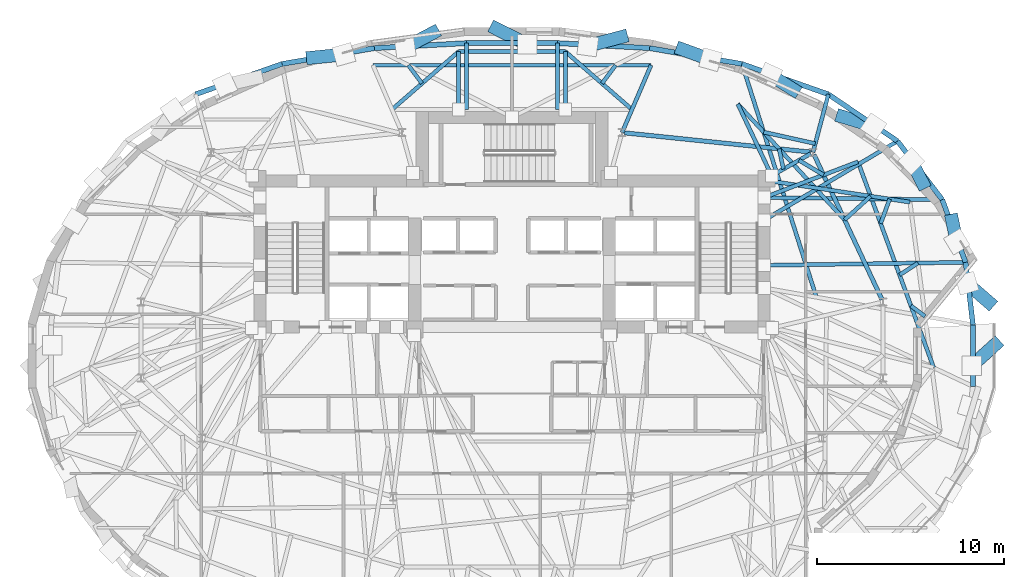
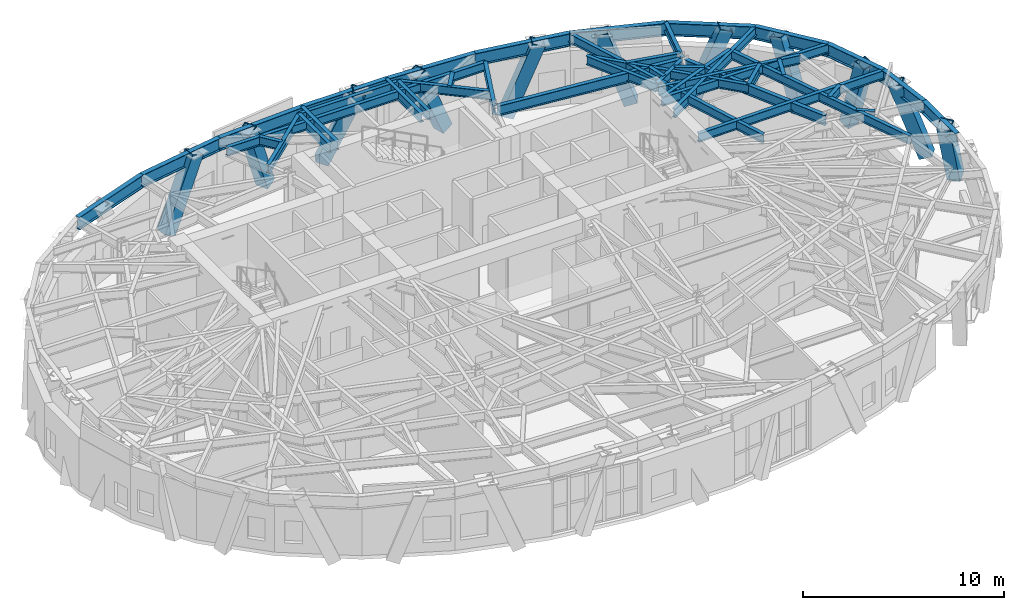
# One storey, part 5 of 16: 43 beams, 11 members.
"""IFC4 building model written with IfcOpenShell, lengths in metres."""

from ifc_helpers import new_model, si_unit, direction, frame, origin, origin_2d, place, context, subcontext, project, spatial, hollow_rectangle, i_section, extrude, material, material_profile, profile_set, type_object, element, save


model = new_model("IFC4")

# Units and contexts
model_context = context("Model", 3, precision=1e-05, world=origin(), true_north=direction((0.0, 1.0)))
body_context = subcontext(model_context, "Body", "Model", "MODEL_VIEW")
ifc_project = project(units=[si_unit("LENGTHUNIT", "METRE"), si_unit("AREAUNIT", "SQUARE_METRE"), si_unit("VOLUMEUNIT", "CUBIC_METRE"), si_unit("PLANEANGLEUNIT", "RADIAN"), si_unit("MASSUNIT", "GRAM", prefix="KILO")], contexts=[model_context])

# Site, building, storey
site_placement = place(None, origin())
site = spatial("IfcSite", under=ifc_project, at=site_placement, CompositionType="ELEMENT")
building_placement = place(site_placement, origin())
building = spatial("IfcBuilding", under=site, at=building_placement, Name="Keldmark Tower", CompositionType="ELEMENT")
storey_placement = place(building_placement, frame((0.0, 0.0, 139.60009765625)))
storey = spatial("IfcBuildingStorey", under=building, at=storey_placement, Name="L37", CompositionType="ELEMENT", Elevation=139.60009765625)

# Members
ifc_material_1 = material(Name="Steel ASTM A572 Grade 50", Category="steel")
ifc_material_profile_1 = material_profile(ifc_material_1, hollow_rectangle(XDim=0.699951171875, YDim=0.699951171875, WallThickness=0.044921875, at=origin_2d()), Name="BOX700X700X45")
ifc_profile_set_1 = profile_set([ifc_material_profile_1], Name="Steel ASTM A572 Grade 50")
member_type = type_object("IfcMemberType", Name="Diagrid Zone 2 Brace BOX700X700X45", PredefinedType="BRACE", material=ifc_profile_set_1)
member_1_placement = place(storey_placement, frame((25.483642578125, 2.850341796875, -0.300048828125), z_axis=(-0.262066689179, 0.226622796551, 0.938063515177), x_axis=(-0.654103261751, -0.756405263709, 0.0)))
element("IfcMember", 1, at=member_1_placement, inside=storey, type_object=member_type, Name="L37 Perimeter Diagrid Brace 01A", PredefinedType="BRACE", context=body_context, shape_type="SweptSolid", body=[
    extrude(hollow_rectangle(XDim=0.699951171875, YDim=0.699951171875, WallThickness=0.044921875, at=origin_2d()), origin(), (0.0, 0.0, 1.0), 4.477294921875),
])
member_2_placement = place(storey_placement, frame((23.522705078125, 7.224853515625, -0.300048828125), z_axis=(0.055833681722, -0.262199897513, 0.963397017709), x_axis=(0.978070630791, 0.208273476911, 0.0)))
element("IfcMember", 2, at=member_2_placement, inside=storey, type_object=member_type, Name="L37 Perimeter Diagrid Brace 01B", PredefinedType="BRACE", context=body_context, shape_type="SweptSolid", body=[
    extrude(hollow_rectangle(XDim=0.699951171875, YDim=0.699951171875, WallThickness=0.044921875, at=origin_2d()), origin(), (0.0, 0.0, 1.0), 4.359619140625),
])
member_3_placement = place(storey_placement, frame((21.93310546875, 9.235107421875, -0.300048828125), z_axis=(-0.133933404901, 0.262311712129, 0.955643452723), x_axis=(-0.890623143363, -0.454742142874, 0.0)))
element("IfcMember", 3, at=member_3_placement, inside=storey, type_object=member_type, Name="L37 Perimeter Diagrid Brace 02A", PredefinedType="BRACE", context=body_context, shape_type="SweptSolid", body=[
    extrude(hollow_rectangle(XDim=0.699951171875, YDim=0.699951171875, WallThickness=0.044921875, at=origin_2d()), origin(), (0.0, 0.0, 1.0), 4.394775390625),
])
member_4_placement = place(storey_placement, frame((17.649169921875, 12.768310546875, -0.300048828125), z_axis=(0.367769110097, -0.112627277808, 0.923071491246), x_axis=(0.29282099744, 0.956167277969, 0.0)))
element("IfcMember", 4, at=member_4_placement, inside=storey, type_object=member_type, Name="L37 Perimeter Diagrid Brace 02B", PredefinedType="BRACE", context=body_context, shape_type="SweptSolid", body=[
    extrude(hollow_rectangle(XDim=0.699951171875, YDim=0.699951171875, WallThickness=0.044921875, at=origin_2d()), origin(), (0.0, 0.0, 1.0), 4.550048828125),
])
member_5_placement = place(storey_placement, frame((15.04345703125, 14.213623046875, -0.300048828125), z_axis=(-0.281455160175, 0.176067118512, 0.94328328862), x_axis=(-0.530340358886, -0.847784821601, 0.0)))
element("IfcMember", 5, at=member_5_placement, inside=storey, type_object=member_type, Name="L37 Perimeter Diagrid Brace 03A", PredefinedType="BRACE", context=body_context, shape_type="SweptSolid", body=[
    extrude(hollow_rectangle(XDim=0.699951171875, YDim=0.699951171875, WallThickness=0.044921875, at=origin_2d()), origin(), (0.0, 0.0, 1.0), 4.452392578125),
])
member_6_placement = place(storey_placement, frame((9.088623046875, 16.367919921875, -0.300048828125), z_axis=(0.339062233907, -0.123177069945, 0.932665111912), x_axis=(0.341453441546, 0.93989868989, 0.0)))
element("IfcMember", 6, at=member_6_placement, inside=storey, type_object=member_type, Name="L37 Perimeter Diagrid Brace 03B", PredefinedType="BRACE", context=body_context, shape_type="SweptSolid", body=[
    extrude(hollow_rectangle(XDim=0.699951171875, YDim=0.699951171875, WallThickness=0.044921875, at=origin_2d()), origin(), (0.0, 0.0, 1.0), 4.503173828125),
])
member_7_placement = place(storey_placement, frame((5.86376953125, 17.028564453125, -0.300048828125), z_axis=(-0.39416768539, -0.104088719506, 0.913125059489), x_axis=(0.255319935222, -0.966856623641, 0.0)))
element("IfcMember", 7, at=member_7_placement, inside=storey, type_object=member_type, Name="L37 Perimeter Diagrid Brace 04A", PredefinedType="BRACE", context=body_context, shape_type="SweptSolid", body=[
    extrude(hollow_rectangle(XDim=0.699951171875, YDim=0.699951171875, WallThickness=0.044921875, at=origin_2d()), origin(), (0.0, 0.0, 1.0), 4.599609375),
])
member_8_placement = place(storey_placement, frame((-0.85546875, 17.4755859375, -0.300048828125), z_axis=(0.361041116295, -0.182806301375, 0.914456761428), x_axis=(0.451726466793, 0.892156488066, 0.0)))
element("IfcMember", 8, at=member_8_placement, inside=storey, type_object=member_type, Name="L37 Perimeter Diagrid Brace 04B", PredefinedType="BRACE", context=body_context, shape_type="SweptSolid", body=[
    extrude(hollow_rectangle(XDim=0.699951171875, YDim=0.699951171875, WallThickness=0.044921875, at=origin_2d()), origin(), (0.0, 0.0, 1.0), 4.5927734375),
])
member_9_placement = place(storey_placement, frame((-4.208740234375, 17.2509765625, -0.300048828125), z_axis=(-0.330342400182, -0.17490301064, 0.927514331701), x_axis=(0.467920856752, -0.883770372787, 0.0)))
element("IfcMember", 9, at=member_9_placement, inside=storey, type_object=member_type, Name="L37 Perimeter Diagrid Brace 05A", PredefinedType="BRACE", context=body_context, shape_type="SweptSolid", body=[
    extrude(hollow_rectangle(XDim=0.699951171875, YDim=0.699951171875, WallThickness=0.044921875, at=origin_2d()), origin(), (0.0, 0.0, 1.0), 4.528076171875),
])
member_10_placement = place(storey_placement, frame((-10.669189453125, 15.922607421875, -0.300048828125), z_axis=(0.372704446576, 0.037135699738, 0.92720673817), x_axis=(-0.099147523007, 0.995072745422, 0.0)))
element("IfcMember", 10, at=member_10_placement, inside=storey, type_object=member_type, Name="L37 Perimeter Diagrid Brace 05B", PredefinedType="BRACE", context=body_context, shape_type="SweptSolid", body=[
    extrude(hollow_rectangle(XDim=0.699951171875, YDim=0.699951171875, WallThickness=0.044921875, at=origin_2d()), origin(), (0.0, 0.0, 1.0), 4.52978515625),
])
member_11_placement = place(storey_placement, frame((25.815185546875, 0.58154296875, -0.300048828125), z_axis=(-0.274968308637, -0.248513474309, 0.928780642742), x_axis=(0.670516542049, -0.74189457933, 0.0)))
element("IfcMember", 11, at=member_11_placement, inside=storey, type_object=member_type, Name="L37 Perimeter Diagrid Brace 16B", PredefinedType="BRACE", context=body_context, shape_type="SweptSolid", body=[
    extrude(hollow_rectangle(XDim=0.699951171875, YDim=0.699951171875, WallThickness=0.044921875, at=origin_2d()), origin(), (0.0, 0.0, 1.0), 4.52197265625),
])

# Beams
ifc_material_2 = material(Name="Steel ASTM A992 Grade 50", Category="steel")
ifc_material_profile_2 = material_profile(ifc_material_2, i_section(OverallWidth=0.22900390625, OverallDepth=0.612060546875, WebThickness=0.011962890625, FlangeThickness=0.01953125, at=origin_2d()), Name="W24X84")
ifc_profile_set_2 = profile_set([ifc_material_profile_2], Name="Steel ASTM A992 Grade 50")
beam_type_1 = type_object("IfcBeamType", Name="Primary Floor Girder W24X84", PredefinedType="BEAM", material=ifc_profile_set_2)
beam_1_placement = place(storey_placement, frame((19.76904296875, 2.99609375, 3.7138671875), z_axis=(-0.424526823774, 0.905415360979, 0.0), x_axis=(-0.905415360979, -0.424526823774, 0.0)))
element("IfcBeam", 12, at=beam_1_placement, inside=storey, type_object=beam_type_1, Name="L37 Floor Ring Girder FG-R01", PredefinedType="BEAM", context=body_context, shape_type="SweptSolid", body=[
    extrude(i_section(OverallWidth=0.22900390625, OverallDepth=0.612060546875, WebThickness=0.011962890625, FlangeThickness=0.01953125, at=origin_2d()), origin(), (0.0, 0.0, 1.0), 8.54638671875),
])
beam_2_placement = place(storey_placement, frame((15.942138671875, 10.87548828125, 3.7138671875), z_axis=(-0.994702930931, 0.102791435423, 0.0), x_axis=(-0.102791435423, -0.994702930931, 0.0)))
element("IfcBeam", 13, at=beam_2_placement, inside=storey, type_object=beam_type_1, Name="L37 Floor Ring Girder FG-R02", PredefinedType="BEAM", context=body_context, shape_type="SweptSolid", body=[
    extrude(i_section(OverallWidth=0.22900390625, OverallDepth=0.612060546875, WebThickness=0.011962890625, FlangeThickness=0.01953125, at=origin_2d()), origin(), (0.0, 0.0, 1.0), 9.975341796875),
])
ifc_material_3 = material(Name="Steel ASTM A992 Grade 50", Category="steel")
ifc_material_profile_3 = material_profile(ifc_material_3, i_section(OverallWidth=0.2099609375, OverallDepth=0.537109375, WebThickness=0.010986328125, FlangeThickness=0.017333984375, at=origin_2d()), Name="W21X68")
ifc_profile_set_3 = profile_set([ifc_material_profile_3], Name="Steel ASTM A992 Grade 50")
beam_type_2 = type_object("IfcBeamType", Name="Radial Tie Girder W21X68", PredefinedType="BEAM", material=ifc_profile_set_3)
beam_3_placement = place(storey_placement, frame((15.959716796875, 10.791748046875, 3.75146484375), z_axis=(-0.86929527307, -0.494293160197, 0.0), x_axis=(0.494293160197, -0.86929527307, 0.0)))
element("IfcBeam", 14, at=beam_3_placement, inside=storey, type_object=beam_type_2, Name="L37 Floor Radial Girder FG-C02", PredefinedType="BEAM", context=body_context, shape_type="SweptSolid", body=[
    extrude(i_section(OverallWidth=0.2099609375, OverallDepth=0.537109375, WebThickness=0.010986328125, FlangeThickness=0.017333984375, at=origin_2d()), origin(), (0.0, 0.0, 1.0), 2.39453125),
])
beam_4_placement = place(storey_placement, frame((15.335205078125, 10.436767578125, 3.75146484375), z_axis=(0.858533508586, -0.512757461803, 0.0), x_axis=(0.512757461803, 0.858533508586, 0.0)))
element("IfcBeam", 15, at=beam_4_placement, inside=storey, type_object=beam_type_2, Name="L37 Framing Pin Header PH-001", PredefinedType="BEAM", context=body_context, shape_type="SweptSolid", body=[
    extrude(i_section(OverallWidth=0.2099609375, OverallDepth=0.537109375, WebThickness=0.010986328125, FlangeThickness=0.017333984375, at=origin_2d()), origin(), (0.0, 0.0, 1.0), 1.529296875),
])
beam_5_placement = place(storey_placement, frame((13.47509765625, 8.44287109375, 3.75146484375), z_axis=(0.934404087684, 0.356214824116, 0.0), x_axis=(-0.356214824116, 0.934404087684, 0.0)))
element("IfcBeam", 16, at=beam_5_placement, inside=storey, type_object=beam_type_2, Name="L37 Sub-Ring Step Girder STP1-M01", PredefinedType="BEAM", context=body_context, shape_type="SweptSolid", body=[
    extrude(i_section(OverallWidth=0.2099609375, OverallDepth=0.537109375, WebThickness=0.010986328125, FlangeThickness=0.017333984375, at=origin_2d()), origin(), (0.0, 0.0, 1.0), 5.365234375),
])
beam_6_placement = place(storey_placement, frame((22.531494140625, -0.63720703125, 3.75146484375), z_axis=(-0.345240640508, 0.938514198157, 0.0), x_axis=(-0.938514198157, -0.345240640508, 0.0)))
element("IfcBeam", 17, at=beam_6_placement, inside=storey, type_object=beam_type_2, Name="L37 Perimeter Collector Ring Beam CRG1-M12", PredefinedType="BEAM", context=body_context, shape_type="SweptSolid", body=[
    extrude(i_section(OverallWidth=0.2099609375, OverallDepth=0.537109375, WebThickness=0.010986328125, FlangeThickness=0.017333984375, at=origin_2d()), origin(), (0.0, 0.0, 1.0), 11.711181640625),
])
beam_7_placement = place(storey_placement, frame((17.7734375, 7.251953125, 3.75146484375), z_axis=(0.739822519501, 0.672802080585, 0.0), x_axis=(-0.672802080585, 0.739822519501, 0.0)))
element("IfcBeam", 18, at=beam_7_placement, inside=storey, type_object=beam_type_2, Name="L37 Framing Pin Header PH-009", PredefinedType="BEAM", context=body_context, shape_type="SweptSolid", body=[
    extrude(i_section(OverallWidth=0.2099609375, OverallDepth=0.537109375, WebThickness=0.010986328125, FlangeThickness=0.017333984375, at=origin_2d()), origin(), (0.0, 0.0, 1.0), 1.879638671875),
])
beam_8_placement = place(storey_placement, frame((13.800048828125, 9.324951171875, 3.75146484375), z_axis=(0.988832465986, -0.149031386669, 0.0), x_axis=(0.149031386669, 0.988832465986, 0.0)))
element("IfcBeam", 19, at=beam_8_placement, inside=storey, type_object=beam_type_2, Name="L37 Sub-Ring Step Girder STP2-M01", PredefinedType="BEAM", context=body_context, shape_type="SweptSolid", body=[
    extrude(i_section(OverallWidth=0.2099609375, OverallDepth=0.537109375, WebThickness=0.010986328125, FlangeThickness=0.017333984375, at=origin_2d()), origin(), (0.0, 0.0, 1.0), 7.55029296875),
])
beam_9_placement = place(storey_placement, frame((21.318603515625, 2.66015625, 3.75146484375), z_axis=(0.800311499445, -0.59958444264, 0.0), x_axis=(0.59958444264, 0.800311499445, 0.0)))
element("IfcBeam", 20, at=beam_9_placement, inside=storey, type_object=beam_type_2, Name="L37 Framing Pin Header PH-015", PredefinedType="BEAM", context=body_context, shape_type="SweptSolid", body=[
    extrude(i_section(OverallWidth=0.2099609375, OverallDepth=0.537109375, WebThickness=0.010986328125, FlangeThickness=0.017333984375, at=origin_2d()), origin(), (0.0, 0.0, 1.0), 0.940185546875),
])
beam_10_placement = place(storey_placement, frame((20.7119140625, 4.30859375, 3.75146484375), z_axis=(0.839318497233, 0.543640009752, 0.0), x_axis=(-0.543640009752, 0.839318497233, 0.0)))
element("IfcBeam", 21, at=beam_10_placement, inside=storey, type_object=beam_type_2, Name="L37 Framing Pin Header PH-016", PredefinedType="BEAM", context=body_context, shape_type="SweptSolid", body=[
    extrude(i_section(OverallWidth=0.2099609375, OverallDepth=0.537109375, WebThickness=0.010986328125, FlangeThickness=0.017333984375, at=origin_2d()), origin(), (0.0, 0.0, 1.0), 1.171630859375),
])
beam_11_placement = place(storey_placement, frame((13.47509765625, 4.8212890625, 3.75146484375), z_axis=(0.999885937141, 0.015103400561, 0.0), x_axis=(-0.015103400561, 0.999885937141, 0.0)))
element("IfcBeam", 22, at=beam_11_placement, inside=storey, type_object=beam_type_2, Name="L37 Perimeter Radial Tie Girder RT-02", PredefinedType="BEAM", context=body_context, shape_type="SweptSolid", body=[
    extrude(i_section(OverallWidth=0.2099609375, OverallDepth=0.537109375, WebThickness=0.010986328125, FlangeThickness=0.017333984375, at=origin_2d()), origin(), (0.0, 0.0, 1.0), 10.765625),
])
beam_12_placement = place(storey_placement, frame((19.701171875, 7.056396484375, 3.75146484375), z_axis=(0.344599867282, 0.938749663898, 0.0), x_axis=(-0.938749663898, 0.344599867282, 0.0)))
element("IfcBeam", 23, at=beam_12_placement, inside=storey, type_object=beam_type_2, Name="L37 Framing Pin Header PH-017", PredefinedType="BEAM", context=body_context, shape_type="SweptSolid", body=[
    extrude(i_section(OverallWidth=0.2099609375, OverallDepth=0.537109375, WebThickness=0.010986328125, FlangeThickness=0.017333984375, at=origin_2d()), origin(), (0.0, 0.0, 1.0), 1.39208984375),
])
beam_13_placement = place(storey_placement, frame((13.47509765625, 8.44287109375, 3.75146484375), z_axis=(0.999929465374, -0.011877048293, 0.0), x_axis=(0.011877048293, 0.999929465374, 0.0)))
element("IfcBeam", 24, at=beam_13_placement, inside=storey, type_object=beam_type_2, Name="L37 Perimeter Radial Tie Girder RT-03", PredefinedType="BEAM", context=body_context, shape_type="SweptSolid", body=[
    extrude(i_section(OverallWidth=0.2099609375, OverallDepth=0.537109375, WebThickness=0.010986328125, FlangeThickness=0.017333984375, at=origin_2d()), origin(), (0.0, 0.0, 1.0), 9.517333984375),
])
beam_14_placement = place(storey_placement, frame((13.47509765625, 7.235595703125, 3.75146484375), z_axis=(0.860216832851, 0.50992842682, 0.0), x_axis=(-0.50992842682, 0.860216832851, 0.0)))
element("IfcBeam", 25, at=beam_14_placement, inside=storey, type_object=beam_type_2, Name="L37 Perimeter Radial Tie Girder RT-04", PredefinedType="BEAM", context=body_context, shape_type="SweptSolid", body=[
    extrude(i_section(OverallWidth=0.2099609375, OverallDepth=0.537109375, WebThickness=0.010986328125, FlangeThickness=0.017333984375, at=origin_2d()), origin(), (0.0, 0.0, 1.0), 8.28271484375),
])
beam_15_placement = place(storey_placement, frame((16.08154296875, 10.861083984375, 3.75146484375), z_axis=(0.256914644117, 0.966434097928, 0.0), x_axis=(-0.966434097928, 0.256914644117, 0.0)))
element("IfcBeam", 26, at=beam_15_placement, inside=storey, type_object=beam_type_2, Name="L37 Perimeter Column Bracket RT-05", PredefinedType="BEAM", context=body_context, shape_type="SweptSolid", body=[
    extrude(i_section(OverallWidth=0.2099609375, OverallDepth=0.537109375, WebThickness=0.010986328125, FlangeThickness=0.017333984375, at=origin_2d()), origin(), (0.0, 0.0, 1.0), 3.2099609375),
])
beam_16_placement = place(storey_placement, frame((14.502685546875, 9.96337890625, 3.75146484375), z_axis=(-0.205977173511, 0.978556796508, 0.0), x_axis=(-0.978556796508, -0.205977173511, 0.0)))
element("IfcBeam", 27, at=beam_16_placement, inside=storey, type_object=beam_type_2, Name="L37 Framing Pin Header PH-018", PredefinedType="BEAM", context=body_context, shape_type="SweptSolid", body=[
    extrude(i_section(OverallWidth=0.2099609375, OverallDepth=0.537109375, WebThickness=0.010986328125, FlangeThickness=0.017333984375, at=origin_2d()), origin(), (0.0, 0.0, 1.0), 1.108154296875),
])
beam_17_placement = place(storey_placement, frame((17.7734375, 7.251953125, 3.75146484375), z_axis=(-0.677781257057, 0.735263604147, 0.0), x_axis=(-0.735263604147, -0.677781257057, 0.0)))
element("IfcBeam", 28, at=beam_17_placement, inside=storey, type_object=beam_type_2, Name="L37 Intermediate Radial Step Girder RT-06M", PredefinedType="BEAM", context=body_context, shape_type="SweptSolid", body=[
    extrude(i_section(OverallWidth=0.2099609375, OverallDepth=0.537109375, WebThickness=0.010986328125, FlangeThickness=0.017333984375, at=origin_2d()), origin(), (0.0, 0.0, 1.0), 8.41796875),
])
beam_18_placement = place(storey_placement, frame((13.878173828125, 9.608154296875, 3.75146484375), z_axis=(-0.427036390503, 0.904234439283, 0.0), x_axis=(-0.904234439283, -0.427036390503, 0.0)))
element("IfcBeam", 29, at=beam_18_placement, inside=storey, type_object=beam_type_2, Name="L37 Local Collector Chord RT-06C", PredefinedType="BEAM", context=body_context, shape_type="SweptSolid", body=[
    extrude(i_section(OverallWidth=0.2099609375, OverallDepth=0.537109375, WebThickness=0.010986328125, FlangeThickness=0.017333984375, at=origin_2d()), origin(), (0.0, 0.0, 1.0), 4.2392578125),
])
beam_19_placement = place(storey_placement, frame((16.205078125, 11.326416015625, 3.75146484375), z_axis=(-0.976030023895, 0.2176359172, 0.0), x_axis=(-0.2176359172, -0.976030023895, 0.0)))
element("IfcBeam", 30, at=beam_19_placement, inside=storey, type_object=beam_type_2, Name="L37 Framing Pin Header PH-019", PredefinedType="BEAM", context=body_context, shape_type="SweptSolid", body=[
    extrude(i_section(OverallWidth=0.2099609375, OverallDepth=0.537109375, WebThickness=0.010986328125, FlangeThickness=0.017333984375, at=origin_2d()), origin(), (0.0, 0.0, 1.0), 2.8212890625),
])
beam_20_placement = place(storey_placement, frame((16.26416015625, 3.121826171875, 3.75146484375), z_axis=(-0.303866098053, 0.952714749783, 0.0), x_axis=(-0.952714749783, -0.303866098053, 0.0)))
element("IfcBeam", 31, at=beam_20_placement, inside=storey, type_object=beam_type_2, Name="L37 Perimeter Radial Tie Girder RT-06", PredefinedType="BEAM", context=body_context, shape_type="SweptSolid", body=[
    extrude(i_section(OverallWidth=0.2099609375, OverallDepth=0.537109375, WebThickness=0.010986328125, FlangeThickness=0.017333984375, at=origin_2d()), origin(), (0.0, 0.0, 1.0), 13.0810546875),
])
beam_21_placement = place(storey_placement, frame((5.880126953125, 11.915283203125, 3.75146484375), z_axis=(0.395414566393, 0.918502760303, 0.0), x_axis=(-0.918502760303, 0.395414566393, 0.0)))
element("IfcBeam", 32, at=beam_21_placement, inside=storey, type_object=beam_type_2, Name="L37 North Column Cantilever Girder East FG-TCN-E", PredefinedType="BEAM", context=body_context, shape_type="SweptSolid", body=[
    extrude(i_section(OverallWidth=0.2099609375, OverallDepth=0.537109375, WebThickness=0.010986328125, FlangeThickness=0.017333984375, at=origin_2d()), origin(), (0.0, 0.0, 1.0), 3.920166015625),
])
beam_22_placement = place(storey_placement, frame((-7.43017578125, 15.515869140625, 3.75146484375), z_axis=(1.0, 0.0, 0.0), x_axis=(0.0, 1.0, 0.0)))
element("IfcBeam", 33, at=beam_22_placement, inside=storey, type_object=beam_type_2, Name="L37 North Outer Header Girder FG-TCN-H1", PredefinedType="BEAM", context=body_context, shape_type="SweptSolid", body=[
    extrude(i_section(OverallWidth=0.2099609375, OverallDepth=0.537109375, WebThickness=0.010986328125, FlangeThickness=0.017333984375, at=origin_2d()), origin(), (0.0, 0.0, 1.0), 14.8603515625),
])
for number, where, z_axis, x_axis, name in (
    (34, (-2.85009765625, 13.14990234375, 3.75146484375), (0.0, 1.0, 0.0), (-1.0, 0.0, 0.0), "L37 North Step Cantilever Girder West FG-TCN-W2"),
    (35, (2.85009765625, 13.14990234375, 3.75146484375), (0.0, 1.0, 0.0), (-1.0, 0.0, 0.0), "L37 North Step Cantilever Girder East FG-TCN-E2"),
):
    element("IfcBeam", number, at=place(storey_placement, frame(where, z_axis=z_axis, x_axis=x_axis)), inside=storey, type_object=beam_type_2, Name=name, PredefinedType="BEAM", context=body_context, shape_type="SweptSolid", body=[
        extrude(i_section(OverallWidth=0.2099609375, OverallDepth=0.537109375, WebThickness=0.010986328125, FlangeThickness=0.017333984375, at=origin_2d()), origin(), (0.0, 0.0, 1.0), 3.095703125),
    ])
beam_23_placement = place(storey_placement, frame((-2.85009765625, 16.24560546875, 3.75146484375), z_axis=(1.0, 0.0, 0.0), x_axis=(0.0, 1.0, 0.0)))
element("IfcBeam", 36, at=beam_23_placement, inside=storey, type_object=beam_type_2, Name="L37 North Apex Header Girder FG-TCN-H2", PredefinedType="BEAM", context=body_context, shape_type="SweptSolid", body=[
    extrude(i_section(OverallWidth=0.2099609375, OverallDepth=0.537109375, WebThickness=0.010986328125, FlangeThickness=0.017333984375, at=origin_2d()), origin(), (0.0, 0.0, 1.0), 5.7001953125),
])
for number, where, z_axis, x_axis, name in (
    (37, (2.426025390625, 13.14990234375, 3.75146484375), (0.0, 1.0, 0.0), (-1.0, 0.0, 0.0), "L37 North Continuous Radial Girder RT-08N"),
    (38, (-2.426025390625, 13.14990234375, 3.75146484375), (0.0, 1.0, 0.0), (-1.0, 0.0, 0.0), "L37 North Continuous Radial Girder RT-09N"),
):
    element("IfcBeam", number, at=place(storey_placement, frame(where, z_axis=z_axis, x_axis=x_axis)), inside=storey, type_object=beam_type_2, Name=name, PredefinedType="BEAM", context=body_context, shape_type="SweptSolid", body=[
        extrude(i_section(OverallWidth=0.2099609375, OverallDepth=0.537109375, WebThickness=0.010986328125, FlangeThickness=0.017333984375, at=origin_2d()), origin(), (0.0, 0.0, 1.0), 3.5458984375),
    ])
beam_24_placement = place(storey_placement, frame((6.41162109375, 13.14990234375, 3.75146484375), z_axis=(-0.754739165033, 0.65602499401, 0.0), x_axis=(-0.65602499401, -0.754739165033, 0.0)))
element("IfcBeam", 39, at=beam_24_placement, inside=storey, type_object=beam_type_2, Name="L37 Straddling Support Chord RT-07RB", PredefinedType="BEAM", context=body_context, shape_type="SweptSolid", body=[
    extrude(i_section(OverallWidth=0.2099609375, OverallDepth=0.537109375, WebThickness=0.010986328125, FlangeThickness=0.017333984375, at=origin_2d()), origin(), (0.0, 0.0, 1.0), 4.718994140625),
])
beam_25_placement = place(storey_placement, frame((4.808837890625, 14.543212890625, 3.75146484375), z_axis=(0.600128490833, 0.79990361575, 0.0), x_axis=(-0.79990361575, 0.600128490833, 0.0)))
element("IfcBeam", 40, at=beam_25_placement, inside=storey, type_object=beam_type_2, Name="L37 Framing Pin Header PH-040", PredefinedType="BEAM", context=body_context, shape_type="SweptSolid", body=[
    extrude(i_section(OverallWidth=0.2099609375, OverallDepth=0.537109375, WebThickness=0.010986328125, FlangeThickness=0.017333984375, at=origin_2d()), origin(), (0.0, 0.0, 1.0), 1.216064453125),
])
beam_26_placement = place(storey_placement, frame((-2.85009765625, 16.24560546875, 3.75146484375), z_axis=(-0.754739165033, -0.65602499401, 0.0), x_axis=(0.65602499401, -0.754739165033, 0.0)))
element("IfcBeam", 41, at=beam_26_placement, inside=storey, type_object=beam_type_2, Name="L37 Straddling Support Chord RT-10RB", PredefinedType="BEAM", context=body_context, shape_type="SweptSolid", body=[
    extrude(i_section(OverallWidth=0.2099609375, OverallDepth=0.537109375, WebThickness=0.010986328125, FlangeThickness=0.017333984375, at=origin_2d()), origin(), (0.0, 0.0, 1.0), 4.718994140625),
])
beam_27_placement = place(storey_placement, frame((-4.808837890625, 14.543212890625, 3.75146484375), z_axis=(-0.600128490833, 0.79990361575, 0.0), x_axis=(-0.79990361575, -0.600128490833, 0.0)))
element("IfcBeam", 42, at=beam_27_placement, inside=storey, type_object=beam_type_2, Name="L37 Framing Pin Header PH-041", PredefinedType="BEAM", context=body_context, shape_type="SweptSolid", body=[
    extrude(i_section(OverallWidth=0.2099609375, OverallDepth=0.537109375, WebThickness=0.010986328125, FlangeThickness=0.017333984375, at=origin_2d()), origin(), (0.0, 0.0, 1.0), 1.216064453125),
])
ifc_material_4 = material(Name="Steel ASTM A992 Grade 50", Category="steel")
ifc_material_profile_4 = material_profile(ifc_material_4, i_section(OverallWidth=0.26806640625, OverallDepth=0.77001953125, WebThickness=0.015625, FlangeThickness=0.025390625, at=origin_2d()), Name="W30X132")
ifc_profile_set_4 = profile_set([ifc_material_profile_4], Name="Steel ASTM A992 Grade 50")
beam_type_3 = type_object("IfcBeamType", Name="Spandrel Ring Beam W30X132", PredefinedType="SPANDREL", material=ifc_profile_set_4)
beam_28_placement = place(storey_placement, frame((24.631591796875, 1.644287109375, 3.635009765625), z_axis=(-0.116605336518, 0.993178330158, 0.0), x_axis=(-0.993178330158, -0.116605336518, 0.0)))
element("IfcBeam", 43, at=beam_28_placement, inside=storey, type_object=beam_type_3, Name="L37 Perimeter Spandrel Ring Beam SRB-01", PredefinedType="SPANDREL", context=body_context, shape_type="SweptSolid", body=[
    extrude(i_section(OverallWidth=0.26806640625, OverallDepth=0.77001953125, WebThickness=0.015625, FlangeThickness=0.025390625, at=origin_2d()), origin(), (0.0, 0.0, 1.0), 3.362548828125),
])
beam_29_placement = place(storey_placement, frame((24.239501953125, 4.98388671875, 3.635009765625), z_axis=(-0.349422124021, 0.936965409844, 0.0), x_axis=(-0.936965409844, -0.349422124021, 0.0)))
element("IfcBeam", 44, at=beam_29_placement, inside=storey, type_object=beam_type_3, Name="L37 Perimeter Spandrel Ring Beam SRB-02", PredefinedType="SPANDREL", context=body_context, shape_type="SweptSolid", body=[
    extrude(i_section(OverallWidth=0.26806640625, OverallDepth=0.77001953125, WebThickness=0.015625, FlangeThickness=0.025390625, at=origin_2d()), origin(), (0.0, 0.0, 1.0), 3.571044921875),
])
beam_30_placement = place(storey_placement, frame((22.99169921875, 8.329833984375, 3.635009765625), z_axis=(-0.607215400231, 0.794537260122, 0.0), x_axis=(-0.794537260122, -0.607215400231, 0.0)))
element("IfcBeam", 45, at=beam_30_placement, inside=storey, type_object=beam_type_3, Name="L37 Perimeter Spandrel Ring Beam SRB-03", PredefinedType="SPANDREL", context=body_context, shape_type="SweptSolid", body=[
    extrude(i_section(OverallWidth=0.26806640625, OverallDepth=0.77001953125, WebThickness=0.015625, FlangeThickness=0.025390625, at=origin_2d()), origin(), (0.0, 0.0, 1.0), 3.938720703125),
])
beam_31_placement = place(storey_placement, frame((20.60009765625, 11.459228515625, 3.635009765625), z_axis=(-0.827724433139, 0.561134799121, 0.0), x_axis=(-0.561134799121, -0.827724433139, 0.0)))
element("IfcBeam", 46, at=beam_31_placement, inside=storey, type_object=beam_type_3, Name="L37 Perimeter Spandrel Ring Beam SRB-04", PredefinedType="SPANDREL", context=body_context, shape_type="SweptSolid", body=[
    extrude(i_section(OverallWidth=0.26806640625, OverallDepth=0.77001953125, WebThickness=0.015625, FlangeThickness=0.025390625, at=origin_2d()), origin(), (0.0, 0.0, 1.0), 4.462646484375),
])
beam_32_placement = place(storey_placement, frame((16.90625, 13.96337890625, 3.635009765625), z_axis=(-0.943544455186, 0.331245922372, 0.0), x_axis=(-0.331245922372, -0.943544455186, 0.0)))
element("IfcBeam", 47, at=beam_32_placement, inside=storey, type_object=beam_type_3, Name="L37 Perimeter Spandrel Ring Beam SRB-05", PredefinedType="SPANDREL", context=body_context, shape_type="SweptSolid", body=[
    extrude(i_section(OverallWidth=0.26806640625, OverallDepth=0.77001953125, WebThickness=0.015625, FlangeThickness=0.025390625, at=origin_2d()), origin(), (0.0, 0.0, 1.0), 4.893310546875),
])
beam_33_placement = place(storey_placement, frame((12.289306640625, 15.584228515625, 3.635009765625), z_axis=(-0.985640803986, 0.168855575915, 0.0), x_axis=(-0.168855575915, -0.985640803986, 0.0)))
element("IfcBeam", 48, at=beam_33_placement, inside=storey, type_object=beam_type_3, Name="L37 Perimeter Spandrel Ring Beam SRB-06", PredefinedType="SPANDREL", context=body_context, shape_type="SweptSolid", body=[
    extrude(i_section(OverallWidth=0.26806640625, OverallDepth=0.77001953125, WebThickness=0.015625, FlangeThickness=0.025390625, at=origin_2d()), origin(), (0.0, 0.0, 1.0), 5.008544921875),
])
beam_34_placement = place(storey_placement, frame((7.352783203125, 16.429931640625, 3.635009765625), z_axis=(-0.998547098553, 0.05388591627, 0.0), x_axis=(-0.05388591627, -0.998547098553, 0.0)))
element("IfcBeam", 49, at=beam_34_placement, inside=storey, type_object=beam_type_3, Name="L37 Perimeter Spandrel Ring Beam SRB-07", PredefinedType="SPANDREL", context=body_context, shape_type="SweptSolid", body=[
    extrude(i_section(OverallWidth=0.26806640625, OverallDepth=0.77001953125, WebThickness=0.015625, FlangeThickness=0.025390625, at=origin_2d()), origin(), (0.0, 0.0, 1.0), 4.933837890625),
])
beam_35_placement = place(storey_placement, frame((2.426025390625, 16.69580078125, 3.635009765625), z_axis=(-1.0, 0.0, 0.0), x_axis=(0.0, -1.0, 0.0)))
element("IfcBeam", 50, at=beam_35_placement, inside=storey, type_object=beam_type_3, Name="L37 Perimeter Spandrel Ring Beam SRB-08", PredefinedType="SPANDREL", context=body_context, shape_type="SweptSolid", body=[
    extrude(i_section(OverallWidth=0.26806640625, OverallDepth=0.77001953125, WebThickness=0.015625, FlangeThickness=0.025390625, at=origin_2d()), origin(), (0.0, 0.0, 1.0), 4.85205078125),
])
beam_36_placement = place(storey_placement, frame((-2.426025390625, 16.69580078125, 3.635009765625), z_axis=(-0.998547098553, -0.05388591627, 0.0), x_axis=(0.05388591627, -0.998547098553, 0.0)))
element("IfcBeam", 51, at=beam_36_placement, inside=storey, type_object=beam_type_3, Name="L37 Perimeter Spandrel Ring Beam SRB-09", PredefinedType="SPANDREL", context=body_context, shape_type="SweptSolid", body=[
    extrude(i_section(OverallWidth=0.26806640625, OverallDepth=0.77001953125, WebThickness=0.015625, FlangeThickness=0.025390625, at=origin_2d()), origin(), (0.0, 0.0, 1.0), 4.933837890625),
])
beam_37_placement = place(storey_placement, frame((-7.352783203125, 16.429931640625, 3.635009765625), z_axis=(-0.985640803986, -0.168855575915, 0.0), x_axis=(0.168855575915, -0.985640803986, 0.0)))
element("IfcBeam", 52, at=beam_37_placement, inside=storey, type_object=beam_type_3, Name="L37 Perimeter Spandrel Ring Beam SRB-10", PredefinedType="SPANDREL", context=body_context, shape_type="SweptSolid", body=[
    extrude(i_section(OverallWidth=0.26806640625, OverallDepth=0.77001953125, WebThickness=0.015625, FlangeThickness=0.025390625, at=origin_2d()), origin(), (0.0, 0.0, 1.0), 5.008544921875),
])
beam_38_placement = place(storey_placement, frame((-12.289306640625, 15.584228515625, 3.635009765625), z_axis=(-0.943544455186, -0.331245922372, 0.0), x_axis=(0.331245922372, -0.943544455186, 0.0)))
element("IfcBeam", 53, at=beam_38_placement, inside=storey, type_object=beam_type_3, Name="L37 Perimeter Spandrel Ring Beam SRB-11", PredefinedType="SPANDREL", context=body_context, shape_type="SweptSolid", body=[
    extrude(i_section(OverallWidth=0.26806640625, OverallDepth=0.77001953125, WebThickness=0.015625, FlangeThickness=0.025390625, at=origin_2d()), origin(), (0.0, 0.0, 1.0), 4.893310546875),
])
beam_39_placement = place(storey_placement, frame((24.631591796875, -1.644287109375, 3.635009765625), z_axis=(0.0, 1.0, 0.0), x_axis=(-1.0, 0.0, 0.0)))
element("IfcBeam", 54, at=beam_39_placement, inside=storey, type_object=beam_type_3, Name="L37 Perimeter Spandrel Ring Beam SRB-32", PredefinedType="SPANDREL", context=body_context, shape_type="SweptSolid", body=[
    extrude(i_section(OverallWidth=0.26806640625, OverallDepth=0.77001953125, WebThickness=0.015625, FlangeThickness=0.025390625, at=origin_2d()), origin(), (0.0, 0.0, 1.0), 3.28857421875),
])

save(model, "model.ifc")
